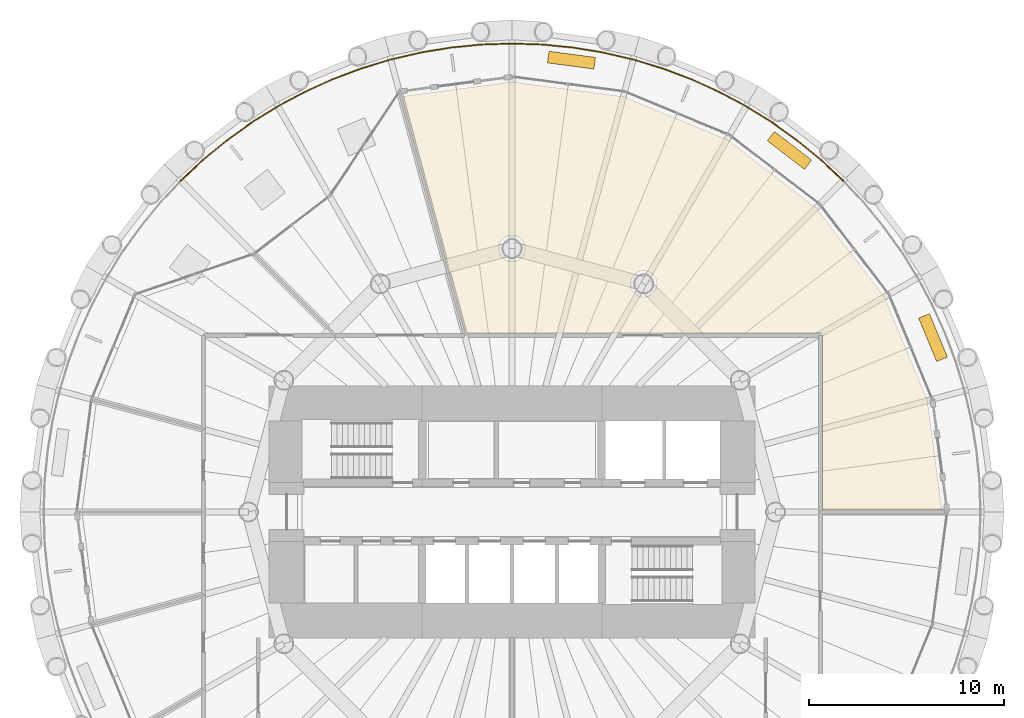
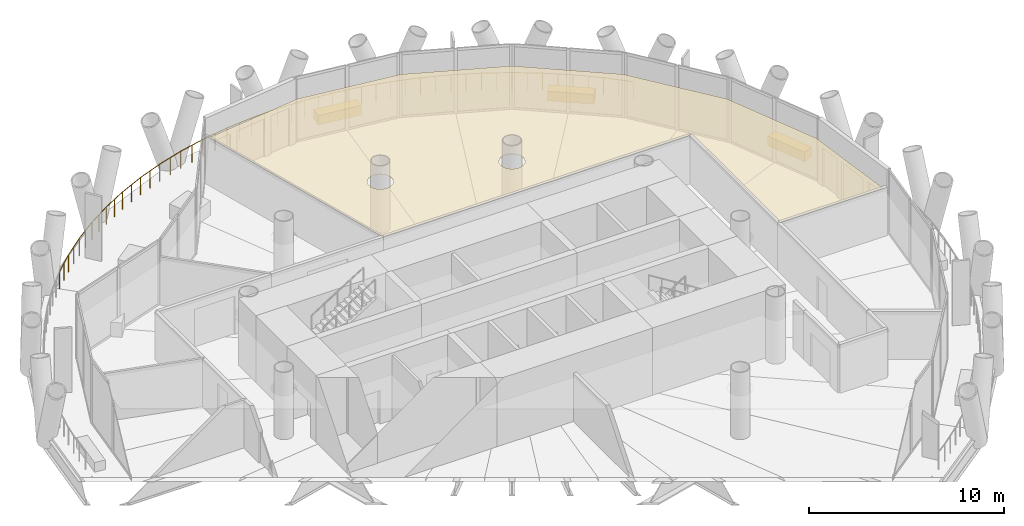
# One storey, part 14 of 14: 4 coverings, 1 railing.
"""IFC4 building model written with IfcOpenShell, lengths in metres."""

from ifc_helpers import new_model, si_unit, direction, frame, origin, origin_2d, place, context, subcontext, project, spatial, polyline, rectangle, circle, outline, extrude, material, layer, layer_set, type_object, element, save


model = new_model("IFC4")

# Units and contexts
model_context = context("Model", 3, precision=1e-05, world=origin(), true_north=direction((0.0, 1.0)))
body_context = subcontext(model_context, "Body", "Model", "MODEL_VIEW")
ifc_project = project(units=[si_unit("LENGTHUNIT", "METRE"), si_unit("AREAUNIT", "SQUARE_METRE"), si_unit("VOLUMEUNIT", "CUBIC_METRE"), si_unit("PLANEANGLEUNIT", "RADIAN"), si_unit("MASSUNIT", "GRAM", prefix="KILO")], contexts=[model_context])

# Site, building, storey
site_placement = place(None, origin())
site = spatial("IfcSite", under=ifc_project, at=site_placement, CompositionType="ELEMENT")
building_placement = place(site_placement, origin())
building = spatial("IfcBuilding", under=site, at=building_placement, Name="Qaws Media Tower", CompositionType="ELEMENT")
storey_placement = place(building_placement, frame((0.0, 0.0, 160.39990234375)))
storey = spatial("IfcBuildingStorey", under=building, at=storey_placement, Name="L36", CompositionType="ELEMENT", Elevation=160.39990234375)

# Railing
ifc_material_1 = material(Name="Stainless steel and glass guard", Category="steel")
railing_type = type_object("IfcRailingType", Name="Balcony guard 1100", PredefinedType="GUARDRAIL", material=ifc_material_1)
railing_placement = place(storey_placement, frame((76.970458984375, 66.970458984375, 0.0)))
element("IfcRailing", 1, at=railing_placement, inside=storey, type_object=railing_type, Name="GR1 balcony guard L36-1", PredefinedType="GUARDRAIL", context=body_context, shape_type="SweptSolid", body=[
    extrude(circle(Radius=0.02392578125, at=origin_2d()), frame((0.0, 0.0, 1.076171875), z_axis=(-0.729813455053, 0.683646341922, 0.0), x_axis=(-0.683646341922, -0.729813455053, 0.0)), (0.0, 0.0, 1.0), 1.570556640625),
    extrude(circle(Radius=0.02392578125, at=origin_2d()), frame((-1.146240234375, 1.07373046875, 1.076171875), z_axis=(-0.77296584809, 0.63444763195, 0.0), x_axis=(-0.63444763195, -0.77296584809, 0.0)), (0.0, 0.0, 1.0), 1.5703125),
    extrude(circle(Radius=0.02392578125, at=origin_2d()), frame((-2.360107421875, 2.070068359375, 1.076171875), z_axis=(-0.812850247555, 0.582472724726, 0.0), x_axis=(-0.582472724726, -0.812850247555, 0.0)), (0.0, 0.0, 1.0), 1.570556640625),
    extrude(circle(Radius=0.02392578125, at=origin_2d()), frame((-3.63671875, 2.98486328125, 1.076171875), z_axis=(-0.849209967984, 0.528055328802, 0.0), x_axis=(-0.528055328802, -0.849209967984, 0.0)), (0.0, 0.0, 1.0), 1.570556640625),
    extrude(circle(Radius=0.02392578125, at=origin_2d()), frame((-4.970458984375, 3.814208984375, 1.076171875), z_axis=(-0.881939468642, 0.471362677406, 0.0), x_axis=(-0.471362677406, -0.881939468642, 0.0)), (0.0, 0.0, 1.0), 1.5703125),
    extrude(circle(Radius=0.02392578125, at=origin_2d()), frame((-6.35546875, 4.554443359375, 1.076171875), z_axis=(-0.910871506135, 0.412690076585, 0.0), x_axis=(-0.412690076585, -0.910871506135, 0.0)), (0.0, 0.0, 1.0), 1.570556640625),
    extrude(circle(Radius=0.02392578125, at=origin_2d()), frame((-7.7861328125, 5.20263671875, 1.076171875), z_axis=(-0.935894013159, 0.35228169997, 0.0), x_axis=(-0.35228169997, -0.935894013159, 0.0)), (0.0, 0.0, 1.0), 1.5703125),
    extrude(circle(Radius=0.02392578125, at=origin_2d()), frame((-9.255859375, 5.755859375, 1.076171875), z_axis=(-0.956957701155, 0.290227424961, 0.0), x_axis=(-0.290227424961, -0.956957701155, 0.0)), (0.0, 0.0, 1.0), 1.570556640625),
    extrude(circle(Radius=0.02392578125, at=origin_2d()), frame((-10.7587890625, 6.211669921875, 1.076171875), z_axis=(-0.973869866976, 0.227106763871, 0.0), x_axis=(-0.227106763871, -0.973869866976, 0.0)), (0.0, 0.0, 1.0), 1.570556640625),
    extrude(circle(Radius=0.02392578125, at=origin_2d()), frame((-12.288330078125, 6.568359375, 1.076171875), z_axis=(-0.98664068219, 0.162911522757, 0.0), x_axis=(-0.162911522757, -0.98664068219, 0.0)), (0.0, 0.0, 1.0), 1.570556640625),
    extrude(circle(Radius=0.02392578125, at=origin_2d()), frame((-13.837890625, 6.82421875, 1.076171875), z_axis=(-0.995177778889, 0.098087656745, 0.0), x_axis=(-0.098087656745, -0.995177778889, 0.0)), (0.0, 0.0, 1.0), 1.570556640625),
    extrude(circle(Radius=0.02392578125, at=origin_2d()), frame((-15.40087890625, 6.978271484375, 1.076171875), z_axis=(-0.999466942107, 0.03264707697, 0.0), x_axis=(-0.03264707697, -0.999466942107, 0.0)), (0.0, 0.0, 1.0), 1.5703125),
    extrude(circle(Radius=0.02392578125, at=origin_2d()), frame((-16.970458984375, 7.029541015625, 1.076171875), z_axis=(-0.999466942107, -0.03264707697, 0.0), x_axis=(0.03264707697, -0.999466942107, 0.0)), (0.0, 0.0, 1.0), 1.5703125),
    extrude(circle(Radius=0.02392578125, at=origin_2d()), frame((-18.5400390625, 6.978271484375, 1.076171875), z_axis=(-0.995177778889, -0.098087656745, 0.0), x_axis=(0.098087656745, -0.995177778889, 0.0)), (0.0, 0.0, 1.0), 1.570556640625),
    extrude(circle(Radius=0.02392578125, at=origin_2d()), frame((-20.10302734375, 6.82421875, 1.076171875), z_axis=(-0.98664068219, -0.162911522757, 0.0), x_axis=(0.162911522757, -0.98664068219, 0.0)), (0.0, 0.0, 1.0), 1.570556640625),
    extrude(circle(Radius=0.02392578125, at=origin_2d()), frame((-21.652587890625, 6.568359375, 1.076171875), z_axis=(-0.973869866976, -0.227106763871, 0.0), x_axis=(0.227106763871, -0.973869866976, 0.0)), (0.0, 0.0, 1.0), 1.570556640625),
    extrude(circle(Radius=0.02392578125, at=origin_2d()), frame((-23.18212890625, 6.211669921875, 1.076171875), z_axis=(-0.956957701155, -0.290227424961, 0.0), x_axis=(0.290227424961, -0.956957701155, 0.0)), (0.0, 0.0, 1.0), 1.570556640625),
    extrude(circle(Radius=0.02392578125, at=origin_2d()), frame((-24.68505859375, 5.755859375, 1.076171875), z_axis=(-0.935894013159, -0.35228169997, 0.0), x_axis=(0.35228169997, -0.935894013159, 0.0)), (0.0, 0.0, 1.0), 1.5703125),
    extrude(circle(Radius=0.02392578125, at=origin_2d()), frame((-26.15478515625, 5.20263671875, 1.076171875), z_axis=(-0.910871506135, -0.412690076585, 0.0), x_axis=(0.412690076585, -0.910871506135, 0.0)), (0.0, 0.0, 1.0), 1.570556640625),
    extrude(circle(Radius=0.02392578125, at=origin_2d()), frame((-27.58544921875, 4.554443359375, 1.076171875), z_axis=(-0.881939468642, -0.471362677406, 0.0), x_axis=(0.471362677406, -0.881939468642, 0.0)), (0.0, 0.0, 1.0), 1.5703125),
    extrude(circle(Radius=0.02392578125, at=origin_2d()), frame((-28.970458984375, 3.814208984375, 1.076171875), z_axis=(-0.849209967984, -0.528055328802, 0.0), x_axis=(0.528055328802, -0.849209967984, 0.0)), (0.0, 0.0, 1.0), 1.570556640625),
    extrude(circle(Radius=0.02392578125, at=origin_2d()), frame((-30.30419921875, 2.98486328125, 1.076171875), z_axis=(-0.812850247555, -0.582472724726, 0.0), x_axis=(0.582472724726, -0.812850247555, 0.0)), (0.0, 0.0, 1.0), 1.570556640625),
    extrude(circle(Radius=0.02392578125, at=origin_2d()), frame((-31.580810546875, 2.070068359375, 1.076171875), z_axis=(-0.77296584809, -0.63444763195, 0.0), x_axis=(0.63444763195, -0.77296584809, 0.0)), (0.0, 0.0, 1.0), 1.5703125),
    extrude(circle(Radius=0.02392578125, at=origin_2d()), frame((-32.794677734375, 1.07373046875, 1.076171875), z_axis=(-0.729813455053, -0.683646341922, 0.0), x_axis=(0.683646341922, -0.729813455053, 0.0)), (0.0, 0.0, 1.0), 1.570556640625),
    extrude(circle(Radius=0.02099609375, at=origin_2d()), origin(), (0.0, 0.0, 1.0), 1.052001953125),
    extrude(circle(Radius=0.02099609375, at=origin_2d()), frame((-0.5732421875, 0.536865234375, 0.0)), (0.0, 0.0, 1.0), 1.052001953125),
    extrude(circle(Radius=0.02099609375, at=origin_2d()), frame((-1.146240234375, 1.07373046875, 0.0)), (0.0, 0.0, 1.0), 1.052001953125),
    extrude(circle(Radius=0.02099609375, at=origin_2d()), frame((-1.753173828125, 1.57177734375, 0.0)), (0.0, 0.0, 1.0), 1.052001953125),
    extrude(circle(Radius=0.02099609375, at=origin_2d()), frame((-2.360107421875, 2.070068359375, 0.0)), (0.0, 0.0, 1.0), 1.052001953125),
    extrude(circle(Radius=0.02099609375, at=origin_2d()), frame((-2.99853515625, 2.52734375, 0.0)), (0.0, 0.0, 1.0), 1.052001953125),
    extrude(circle(Radius=0.02099609375, at=origin_2d()), frame((-3.63671875, 2.98486328125, 0.0)), (0.0, 0.0, 1.0), 1.052001953125),
    extrude(circle(Radius=0.02099609375, at=origin_2d()), frame((-4.3037109375, 3.3994140625, 0.0)), (0.0, 0.0, 1.0), 1.052001953125),
    extrude(circle(Radius=0.02099609375, at=origin_2d()), frame((-4.970458984375, 3.814208984375, 0.0)), (0.0, 0.0, 1.0), 1.052001953125),
    extrude(circle(Radius=0.02099609375, at=origin_2d()), frame((-5.6630859375, 4.184326171875, 0.0)), (0.0, 0.0, 1.0), 1.052001953125),
    extrude(circle(Radius=0.02099609375, at=origin_2d()), frame((-6.35546875, 4.554443359375, 0.0)), (0.0, 0.0, 1.0), 1.052001953125),
    extrude(circle(Radius=0.02099609375, at=origin_2d()), frame((-7.07080078125, 4.87841796875, 0.0)), (0.0, 0.0, 1.0), 1.052001953125),
    extrude(circle(Radius=0.02099609375, at=origin_2d()), frame((-7.7861328125, 5.20263671875, 0.0)), (0.0, 0.0, 1.0), 1.052001953125),
    extrude(circle(Radius=0.02099609375, at=origin_2d()), frame((-8.52099609375, 5.479248046875, 0.0)), (0.0, 0.0, 1.0), 1.052001953125),
    extrude(circle(Radius=0.02099609375, at=origin_2d()), frame((-9.255859375, 5.755859375, 0.0)), (0.0, 0.0, 1.0), 1.052001953125),
    extrude(circle(Radius=0.02099609375, at=origin_2d()), frame((-10.00732421875, 5.98388671875, 0.0)), (0.0, 0.0, 1.0), 1.052001953125),
    extrude(circle(Radius=0.02099609375, at=origin_2d()), frame((-10.7587890625, 6.211669921875, 0.0)), (0.0, 0.0, 1.0), 1.052001953125),
    extrude(circle(Radius=0.02099609375, at=origin_2d()), frame((-11.5234375, 6.39013671875, 0.0)), (0.0, 0.0, 1.0), 1.052001953125),
    extrude(circle(Radius=0.02099609375, at=origin_2d()), frame((-12.288330078125, 6.568359375, 0.0)), (0.0, 0.0, 1.0), 1.052001953125),
    extrude(circle(Radius=0.02099609375, at=origin_2d()), frame((-13.06298828125, 6.6962890625, 0.0)), (0.0, 0.0, 1.0), 1.052001953125),
    extrude(circle(Radius=0.02099609375, at=origin_2d()), frame((-13.837890625, 6.82421875, 0.0)), (0.0, 0.0, 1.0), 1.052001953125),
    extrude(circle(Radius=0.02099609375, at=origin_2d()), frame((-14.619384765625, 6.9013671875, 0.0)), (0.0, 0.0, 1.0), 1.052001953125),
    extrude(circle(Radius=0.02099609375, at=origin_2d()), frame((-15.40087890625, 6.978271484375, 0.0)), (0.0, 0.0, 1.0), 1.052001953125),
    extrude(circle(Radius=0.02099609375, at=origin_2d()), frame((-16.185546875, 7.00390625, 0.0)), (0.0, 0.0, 1.0), 1.052001953125),
    extrude(circle(Radius=0.02099609375, at=origin_2d()), frame((-16.970458984375, 7.029541015625, 0.0)), (0.0, 0.0, 1.0), 1.052001953125),
    extrude(circle(Radius=0.02099609375, at=origin_2d()), frame((-17.75537109375, 7.00390625, 0.0)), (0.0, 0.0, 1.0), 1.052001953125),
    extrude(circle(Radius=0.02099609375, at=origin_2d()), frame((-18.5400390625, 6.978271484375, 0.0)), (0.0, 0.0, 1.0), 1.052001953125),
    extrude(circle(Radius=0.02099609375, at=origin_2d()), frame((-19.321533203125, 6.9013671875, 0.0)), (0.0, 0.0, 1.0), 1.052001953125),
    extrude(circle(Radius=0.02099609375, at=origin_2d()), frame((-20.10302734375, 6.82421875, 0.0)), (0.0, 0.0, 1.0), 1.052001953125),
    extrude(circle(Radius=0.02099609375, at=origin_2d()), frame((-20.8779296875, 6.6962890625, 0.0)), (0.0, 0.0, 1.0), 1.052001953125),
    extrude(circle(Radius=0.02099609375, at=origin_2d()), frame((-21.652587890625, 6.568359375, 0.0)), (0.0, 0.0, 1.0), 1.052001953125),
    extrude(circle(Radius=0.02099609375, at=origin_2d()), frame((-22.41748046875, 6.39013671875, 0.0)), (0.0, 0.0, 1.0), 1.052001953125),
    extrude(circle(Radius=0.02099609375, at=origin_2d()), frame((-23.18212890625, 6.211669921875, 0.0)), (0.0, 0.0, 1.0), 1.052001953125),
    extrude(circle(Radius=0.02099609375, at=origin_2d()), frame((-23.93359375, 5.98388671875, 0.0)), (0.0, 0.0, 1.0), 1.052001953125),
    extrude(circle(Radius=0.02099609375, at=origin_2d()), frame((-24.68505859375, 5.755859375, 0.0)), (0.0, 0.0, 1.0), 1.052001953125),
    extrude(circle(Radius=0.02099609375, at=origin_2d()), frame((-25.419921875, 5.479248046875, 0.0)), (0.0, 0.0, 1.0), 1.052001953125),
    extrude(circle(Radius=0.02099609375, at=origin_2d()), frame((-26.15478515625, 5.20263671875, 0.0)), (0.0, 0.0, 1.0), 1.052001953125),
    extrude(circle(Radius=0.02099609375, at=origin_2d()), frame((-26.8701171875, 4.87841796875, 0.0)), (0.0, 0.0, 1.0), 1.052001953125),
    extrude(circle(Radius=0.02099609375, at=origin_2d()), frame((-27.58544921875, 4.554443359375, 0.0)), (0.0, 0.0, 1.0), 1.052001953125),
    extrude(circle(Radius=0.02099609375, at=origin_2d()), frame((-28.27783203125, 4.184326171875, 0.0)), (0.0, 0.0, 1.0), 1.052001953125),
    extrude(circle(Radius=0.02099609375, at=origin_2d()), frame((-28.970458984375, 3.814208984375, 0.0)), (0.0, 0.0, 1.0), 1.052001953125),
    extrude(circle(Radius=0.02099609375, at=origin_2d()), frame((-29.63720703125, 3.3994140625, 0.0)), (0.0, 0.0, 1.0), 1.052001953125),
    extrude(circle(Radius=0.02099609375, at=origin_2d()), frame((-30.30419921875, 2.98486328125, 0.0)), (0.0, 0.0, 1.0), 1.052001953125),
    extrude(circle(Radius=0.02099609375, at=origin_2d()), frame((-30.9423828125, 2.52734375, 0.0)), (0.0, 0.0, 1.0), 1.052001953125),
    extrude(circle(Radius=0.02099609375, at=origin_2d()), frame((-31.580810546875, 2.070068359375, 0.0)), (0.0, 0.0, 1.0), 1.052001953125),
    extrude(circle(Radius=0.02099609375, at=origin_2d()), frame((-32.187744140625, 1.57177734375, 0.0)), (0.0, 0.0, 1.0), 1.052001953125),
    extrude(circle(Radius=0.02099609375, at=origin_2d()), frame((-32.794677734375, 1.07373046875, 0.0)), (0.0, 0.0, 1.0), 1.052001953125),
    extrude(circle(Radius=0.02099609375, at=origin_2d()), frame((-33.36767578125, 0.536865234375, 0.0)), (0.0, 0.0, 1.0), 1.052001953125),
    extrude(circle(Radius=0.02099609375, at=origin_2d()), frame((-33.94091796875, 0.0, 0.0)), (0.0, 0.0, 1.0), 1.052001953125),
])

# Coverings
ifc_material_2 = material(Name="600 x 600 mineral fibre tiles in exposed grid, suspended", Category="mineral fibre")
ifc_layer_1 = layer(ifc_material_2, 0.02001953125)
ifc_layer_set_1 = layer_set([ifc_layer_1], Name="Mineral fibre tile ceiling 20")
covering_type_1 = type_object("IfcCoveringType", Name="Mineral fibre tile ceiling 20", PredefinedType="CEILING", material=ifc_layer_set_1)
covering_placement = place(storey_placement, frame((0.0, 0.0, 2.85009765625)))
element("IfcCovering", 2, at=covering_placement, inside=storey, type_object=covering_type_1, Name="CL1 ceiling L36-02 HR office", PredefinedType="CEILING", context=body_context, shape_type="SweptSolid", body=[
    extrude(outline(polyline([(60.0, 72.03515625), (65.703125, 71.284423828125), (71.017578125, 69.0830078125), (75.581298828125, 65.581298828125), (79.0830078125, 61.017578125), (81.284423828125, 55.703125), (82.0205078125, 50.112548828125), (75.91259765625, 50.112548828125), (75.91259765625, 59.16259765625), (57.661376953125, 59.16259765625), (54.409423828125, 71.29931640625), (60.0, 72.03515625)]), holes=[polyline([(60.6171875, 63.244384765625), (60.645263671875, 63.3271484375), (60.662353515625, 63.412841796875), (60.66796875, 63.5), (60.662353515625, 63.587158203125), (60.645263671875, 63.6728515625), (60.6171875, 63.755615234375), (60.57861328125, 63.833984375), (60.530029296875, 63.90673828125), (60.472412109375, 63.972412109375), (60.40673828125, 64.030029296875), (60.333984375, 64.07861328125), (60.255615234375, 64.1171875), (60.1728515625, 64.145263671875), (60.087158203125, 64.162353515625), (60.0, 64.16796875), (59.912841796875, 64.162353515625), (59.8271484375, 64.145263671875), (59.744384765625, 64.1171875), (59.666015625, 64.07861328125), (59.59326171875, 64.030029296875), (59.527587890625, 63.972412109375), (59.469970703125, 63.90673828125), (59.42138671875, 63.833984375), (59.3828125, 63.755615234375), (59.354736328125, 63.6728515625), (59.337646484375, 63.587158203125), (59.33203125, 63.5), (59.337646484375, 63.412841796875), (59.354736328125, 63.3271484375), (59.3828125, 63.244384765625), (59.42138671875, 63.166015625), (59.469970703125, 63.09326171875), (59.527587890625, 63.027587890625), (59.59326171875, 62.969970703125), (59.666015625, 62.92138671875), (59.744384765625, 62.8828125), (59.8271484375, 62.854736328125), (59.912841796875, 62.837646484375), (60.0, 62.83203125), (60.087158203125, 62.837646484375), (60.1728515625, 62.854736328125), (60.255615234375, 62.8828125), (60.333984375, 62.92138671875), (60.40673828125, 62.969970703125), (60.472412109375, 63.027587890625), (60.530029296875, 63.09326171875), (60.57861328125, 63.166015625), (60.6171875, 63.244384765625)]), polyline([(67.3671875, 61.435791015625), (67.395263671875, 61.5185546875), (67.412353515625, 61.604248046875), (67.41796875, 61.69140625), (67.412353515625, 61.778564453125), (67.395263671875, 61.8642578125), (67.3671875, 61.947021484375), (67.32861328125, 62.025390625), (67.280029296875, 62.097900390625), (67.222412109375, 62.163818359375), (67.15673828125, 62.22119140625), (67.083984375, 62.269775390625), (67.005615234375, 62.30859375), (66.9228515625, 62.336669921875), (66.837158203125, 62.353515625), (66.75, 62.359375), (66.662841796875, 62.353515625), (66.5771484375, 62.336669921875), (66.494384765625, 62.30859375), (66.416015625, 62.269775390625), (66.34326171875, 62.22119140625), (66.277587890625, 62.163818359375), (66.219970703125, 62.097900390625), (66.17138671875, 62.025390625), (66.1328125, 61.947021484375), (66.104736328125, 61.8642578125), (66.087646484375, 61.778564453125), (66.08203125, 61.69140625), (66.087646484375, 61.604248046875), (66.104736328125, 61.5185546875), (66.1328125, 61.435791015625), (66.17138671875, 61.357421875), (66.219970703125, 61.28466796875), (66.277587890625, 61.218994140625), (66.34326171875, 61.161376953125), (66.416015625, 61.11279296875), (66.494384765625, 61.07421875), (66.5771484375, 61.046142578125), (66.662841796875, 61.029052734375), (66.75, 61.023193359375), (66.837158203125, 61.029052734375), (66.9228515625, 61.046142578125), (67.005615234375, 61.07421875), (67.083984375, 61.11279296875), (67.15673828125, 61.161376953125), (67.222412109375, 61.218994140625), (67.280029296875, 61.28466796875), (67.32861328125, 61.357421875), (67.3671875, 61.435791015625)])]), origin(), (0.0, 0.0, 1.0), 0.02001953125),
])
ifc_material_3 = material(Name="Precast concrete planter with trailing planting", Category="concrete")
ifc_layer_2 = layer(ifc_material_3, 0.60009765625)
ifc_layer_set_2 = layer_set([ifc_layer_2], Name="Planter 2400x600")
covering_type_2 = type_object("IfcCoveringType", Name="Planter 2400x600", PredefinedType="USERDEFINED", material=ifc_layer_set_2)
for number, where, z_axis, x_axis, name in (
    (3, (81.572509765625, 58.935546875, 0.0), (0.0, 0.0, 1.0), (-0.382683432365, 0.923879532511, 0.0), "PL1 balcony planter L36-01"),
    (4, (74.214599609375, 68.52490234375, 0.0), (0.0, 0.0, 1.0), (-0.793353340291, 0.608761429009, 0.0), "PL1 balcony planter L36-02"),
    (5, (63.0478515625, 73.150146484375, 0.0), (0.0, 0.0, 1.0), (-0.991444861374, 0.13052619222, 0.0), "PL1 balcony planter L36-03"),
):
    element("IfcCovering", number, at=place(storey_placement, frame(where, z_axis=z_axis, x_axis=x_axis)), inside=storey, type_object=covering_type_2, Name=name, ObjectType="PLANTER", PredefinedType="USERDEFINED", context=body_context, shape_type="SweptSolid", body=[
        extrude(rectangle(XDim=2.39990234375, YDim=0.60009765625, at=origin_2d()), origin(), (0.0, 0.0, 1.0), 0.60009765625),
    ])

save(model, "model.ifc")
